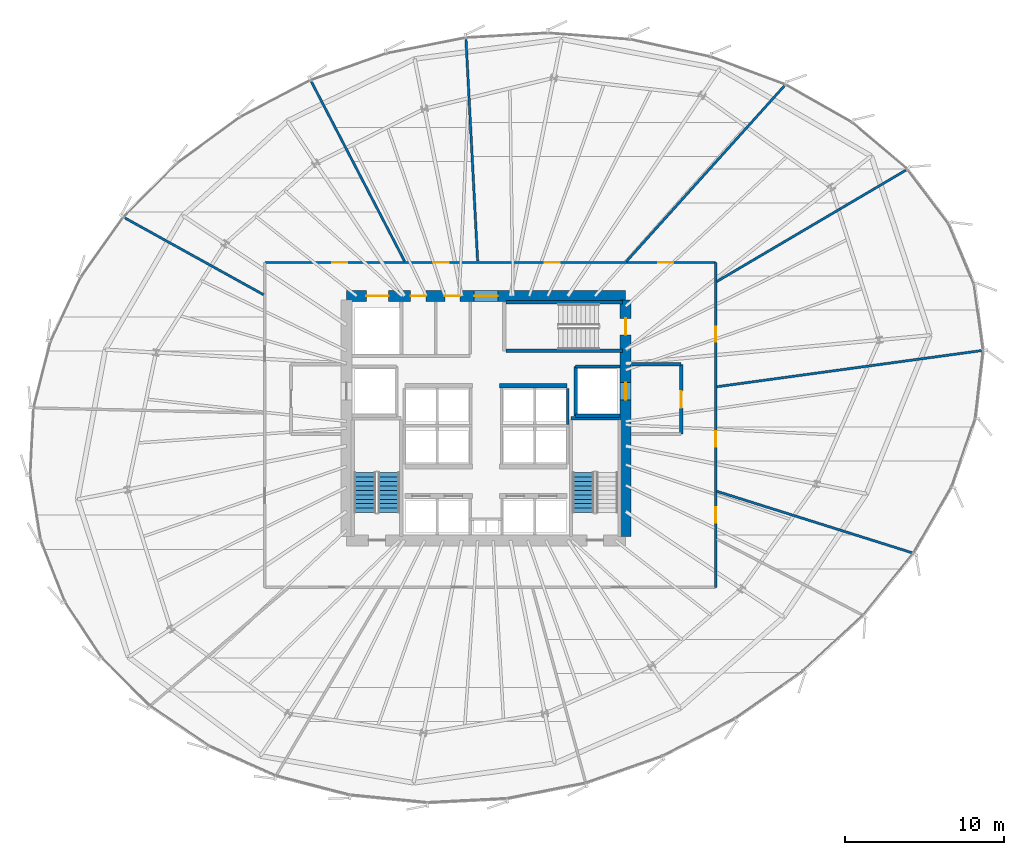
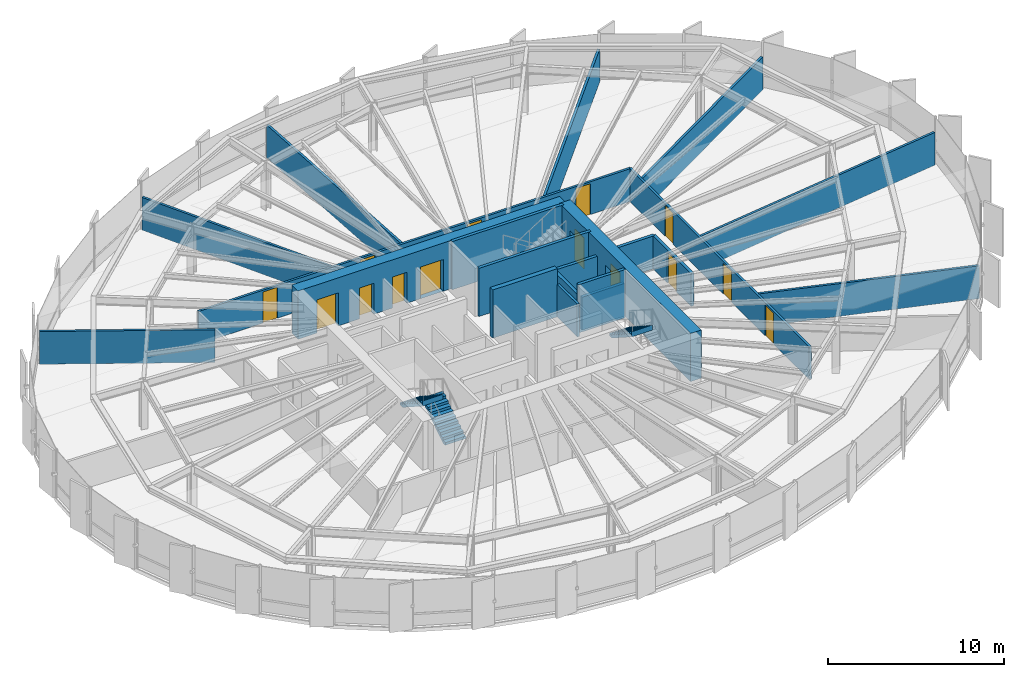
# One storey, part 29 of 35: 21 walls, 14 doors, 3 stair flights, 14 openings, 2 elements without a shape of their own.
"""IFC4 building model written with IfcOpenShell, lengths in metres."""

from ifc_helpers import new_model, si_unit, direction, frame, frame_2d, origin, place, context, subcontext, project, spatial, polyline, rectangle, outline, extrude, source, transform, mapped, material, layer, layer_set, type_object, element, fill, aggregate, save


model = new_model("IFC4")

# Units and contexts
model_context = context("Model", 3, precision=1e-05, world=origin(), true_north=direction((0.0, 1.0)))
body_context = subcontext(model_context, "Body", "Model", "MODEL_VIEW")
ifc_project = project(units=[si_unit("LENGTHUNIT", "METRE"), si_unit("AREAUNIT", "SQUARE_METRE"), si_unit("VOLUMEUNIT", "CUBIC_METRE"), si_unit("PLANEANGLEUNIT", "RADIAN"), si_unit("MASSUNIT", "GRAM", prefix="KILO"), si_unit("THERMODYNAMICTEMPERATUREUNIT", "KELVIN")], contexts=[model_context])

# Site, building, storey
site_placement = place(None, origin())
site = spatial("IfcSite", under=ifc_project, at=site_placement, CompositionType="ELEMENT")
building_placement = place(site_placement, origin())
building = spatial("IfcBuilding", under=site, at=building_placement, Name="Kethvar Cultural Tower", CompositionType="ELEMENT")
storey_placement = place(building_placement, frame((0.0, 0.0, 96.39990234375)))
storey = spatial("IfcBuildingStorey", under=building, at=storey_placement, Name="L23", CompositionType="ELEMENT", Elevation=96.39990234375)

# Wall, openings, doors
ifc_material_1 = material(Name="Concrete C60/75", Category="concrete")
ifc_layer_1 = layer(ifc_material_1, 0.699951171875, Name="Concrete C60/75", Category="concrete")
ifc_layer_set_1 = layer_set([ifc_layer_1], Name="Concrete C60/75 (700 mm)")
wall_type_1 = type_object("IfcWallType", Name="WL-CORE-700", PredefinedType="SHEAR", material=ifc_layer_set_1)
wall_1_placement = place(storey_placement, frame((55.60009765625, 35.5, 0.0), z_axis=(0.0, 0.0, 1.0), x_axis=(-1.0, 0.0, 0.0)))
wall_1 = element("IfcWall", 1, at=wall_1_placement, inside=storey, type_object=wall_type_1, Name="L23 Core Shear Wall N", PredefinedType="SHEAR", context=body_context, shape_type="SweptSolid", body=[
    extrude(rectangle(XDim=17.60009765625, YDim=0.699951171875, at=frame_2d((8.800048828125, 0.0))), origin(), (0.0, 0.0, 1.0), 3.35009765625),
])
opening_1_placement = place(wall_1_placement, frame((8.050048828125, 0.0, 0.0)))
opening_1 = element("IfcOpeningElement", 2, at=opening_1_placement, cuts=wall_1, Name="Opening D-L23-LN", PredefinedType="OPENING", context=body_context, shape_type="SweptSolid", body=[
    extrude(rectangle(XDim=1.5, YDim=2.199951171875, at=frame_2d((0.75, 1.10009765625))), frame((0.0, 0.35986328125, 0.0), z_axis=(0.0, -1.0, 0.0), x_axis=(1.0, 0.0, 0.0)), (0.0, 0.0, 1.0), 0.719970703125),
])
opening_2_placement = place(wall_1_placement, frame((14.949951171875, 0.0, 0.0)))
opening_2 = element("IfcOpeningElement", 3, at=opening_2_placement, cuts=wall_1, Name="Opening LD-G1", PredefinedType="OPENING", context=body_context, shape_type="SweptSolid", body=[
    extrude(rectangle(XDim=1.39990234375, YDim=2.300048828125, at=frame_2d((0.699951171875, 1.14990234375))), frame((0.0, 0.35986328125, 0.0), z_axis=(0.0, -1.0, 0.0), x_axis=(1.0, 0.0, 0.0)), (0.0, 0.0, 1.0), 0.719970703125),
])
opening_3_placement = place(wall_1_placement, frame((12.60009765625, 0.0, 0.0)))
opening_3 = element("IfcOpeningElement", 4, at=opening_3_placement, cuts=wall_1, Name="Opening D-L23-W1", PredefinedType="OPENING", context=body_context, shape_type="SweptSolid", body=[
    extrude(rectangle(XDim=0.949951171875, YDim=2.14990234375, at=frame_2d((0.47509765625, 1.074951171875))), frame((0.0, 0.35986328125, 0.0), z_axis=(0.0, -1.0, 0.0), x_axis=(1.0, 0.0, 0.0)), (0.0, 0.0, 1.0), 0.719970703125),
])
opening_4_placement = place(wall_1_placement, frame((10.449951171875, 0.0, 0.0)))
opening_4 = element("IfcOpeningElement", 5, at=opening_4_placement, cuts=wall_1, Name="Opening D-L23-W2", PredefinedType="OPENING", context=body_context, shape_type="SweptSolid", body=[
    extrude(rectangle(XDim=0.949951171875, YDim=2.14990234375, at=frame_2d((0.47509765625, 1.074951171875))), frame((0.0, 0.35986328125, 0.0), z_axis=(0.0, -1.0, 0.0), x_axis=(1.0, 0.0, 0.0)), (0.0, 0.0, 1.0), 0.719970703125),
])
ifc_material_2 = material(Name="Architectural Oak Timber", Category="wood")
door_type_1 = type_object("IfcDoorType", Name="DR-DBL-FD60-1500", OperationType="DOUBLE_DOOR_SINGLE_SWING", PredefinedType="DOOR", material=ifc_material_2)
shared_shape_1 = source(origin(), body_context, "Body", "SweptSolid", [
    extrude(rectangle(XDim=1.5, YDim=2.199951171875, at=frame_2d((0.75, 1.10009765625))), frame((0.0, 0.02490234375, 0.0), z_axis=(0.0, -1.0, 0.0), x_axis=(1.0, 0.0, 0.0)), (0.0, 0.0, 1.0), 0.050048828125),
])
door_1_placement = place(opening_1_placement, origin())
door_1 = element("IfcDoor", 6, at=door_1_placement, inside=storey, type_object=door_type_1, Name="L23 Lift Lobby Concourse Door", OperationType="DOUBLE_DOOR_SINGLE_SWING", OverallHeight=2.199951171875, OverallWidth=1.5, PredefinedType="DOOR", context=body_context, shape_type="MappedRepresentation", body=[
    mapped(shared_shape_1, transform((0.0, 0.0, 0.0), scale=1.0)),
])
fill(opening_1, door_1)
ifc_material_3 = material(Name="Steel S355J2", Category="steel")
door_type_2 = type_object("IfcDoorType", Name="DR-LIFT-SLIDE-1400", OperationType="NOTDEFINED", PredefinedType="DOOR", material=ifc_material_3)
shared_shape_2 = source(origin(), body_context, "Body", "SweptSolid", [
    extrude(rectangle(XDim=1.39990234375, YDim=2.300048828125, at=frame_2d((0.699951171875, 1.14990234375))), frame((0.0, 0.02490234375, 0.0), z_axis=(0.0, -1.0, 0.0), x_axis=(1.0, 0.0, 0.0)), (0.0, 0.0, 1.0), 0.050048828125),
])
door_2_placement = place(opening_2_placement, origin())
door_2 = element("IfcDoor", 7, at=door_2_placement, inside=storey, type_object=door_type_2, Name="L23 Goods Lift Landing Door", OperationType="SLIDING_TO_RIGHT", OverallHeight=2.300048828125, OverallWidth=1.39990234375, PredefinedType="DOOR", context=body_context, shape_type="MappedRepresentation", body=[
    mapped(shared_shape_2, transform((0.0, 0.0, 0.0), scale=1.0)),
])
fill(opening_2, door_2)
door_type_3 = type_object("IfcDoorType", Name="DR-FD30-950", OperationType="NOTDEFINED", PredefinedType="DOOR", material=ifc_material_2)
shared_shape_3 = source(origin(), body_context, "Body", "SweptSolid", [
    extrude(rectangle(XDim=0.949951171875, YDim=2.14990234375, at=frame_2d((0.47509765625, 1.074951171875))), frame((0.0, 0.02490234375, 0.0), z_axis=(0.0, -1.0, 0.0), x_axis=(1.0, 0.0, 0.0)), (0.0, 0.0, 1.0), 0.050048828125),
])
door_3_placement = place(opening_3_placement, origin())
door_3 = element("IfcDoor", 8, at=door_3_placement, inside=storey, type_object=door_type_3, Name="L23 Accessible Washroom Door", OperationType="SINGLE_SWING_LEFT", OverallHeight=2.14990234375, OverallWidth=0.949951171875, PredefinedType="DOOR", context=body_context, shape_type="MappedRepresentation", body=[
    mapped(shared_shape_3, transform((0.0, 0.0, 0.0), scale=1.0)),
])
fill(opening_3, door_3)
door_4_placement = place(opening_4_placement, origin())
door_4 = element("IfcDoor", 9, at=door_4_placement, inside=storey, type_object=door_type_3, Name="L23 Public Washroom Door", OperationType="SINGLE_SWING_RIGHT", OverallHeight=2.14990234375, OverallWidth=0.949951171875, PredefinedType="DOOR", context=body_context, shape_type="MappedRepresentation", body=[
    mapped(shared_shape_3, transform((0.0, 0.0, 0.0), scale=1.0)),
])
fill(opening_4, door_4)

wall_2_placement = place(storey_placement, frame((55.60009765625, 20.340087890625, 0.0), z_axis=(0.0, 0.0, 1.0), x_axis=(0.0, 1.0, 0.0)))
wall_2 = element("IfcWall", 10, at=wall_2_placement, inside=storey, type_object=wall_type_1, Name="L23 Core Shear Wall E", PredefinedType="SHEAR", context=body_context, shape_type="SweptSolid", body=[
    extrude(rectangle(XDim=14.919921875, YDim=0.699951171875, at=frame_2d((7.4599609375, 0.0))), origin(), (0.0, 0.0, 1.0), 3.35009765625),
])
opening_5_placement = place(wall_2_placement, frame((12.7099609375, 0.0, 0.0)))
opening_5 = element("IfcOpeningElement", 11, at=opening_5_placement, cuts=wall_2, Name="Opening D-L23-S3", PredefinedType="OPENING", context=body_context, shape_type="SweptSolid", body=[
    extrude(rectangle(XDim=1.050048828125, YDim=2.14990234375, at=frame_2d((0.52490234375, 1.074951171875))), frame((0.0, 0.35986328125, 0.0), z_axis=(0.0, -1.0, 0.0), x_axis=(1.0, 0.0, 0.0)), (0.0, 0.0, 1.0), 0.719970703125),
])
opening_6_placement = place(wall_2_placement, frame((8.610107421875, 0.0, 0.0)))
opening_6 = element("IfcOpeningElement", 12, at=opening_6_placement, cuts=wall_2, Name="Opening LD-2", PredefinedType="OPENING", context=body_context, shape_type="SweptSolid", body=[
    extrude(rectangle(XDim=1.10009765625, YDim=2.199951171875, at=frame_2d((0.550048828125, 1.10009765625))), frame((0.0, 0.35986328125, 0.0), z_axis=(0.0, -1.0, 0.0), x_axis=(1.0, 0.0, 0.0)), (0.0, 0.0, 1.0), 0.719970703125),
])
door_type_4 = type_object("IfcDoorType", Name="DR-FD60-1050", OperationType="NOTDEFINED", PredefinedType="DOOR", material=ifc_material_3)
shared_shape_4 = source(origin(), body_context, "Body", "SweptSolid", [
    extrude(rectangle(XDim=1.050048828125, YDim=2.14990234375, at=frame_2d((0.52490234375, 1.074951171875))), frame((0.0, 0.02490234375, 0.0), z_axis=(0.0, -1.0, 0.0), x_axis=(1.0, 0.0, 0.0)), (0.0, 0.0, 1.0), 0.050048828125),
])
door_5_placement = place(opening_5_placement, origin())
door_5 = element("IfcDoor", 13, at=door_5_placement, inside=storey, type_object=door_type_4, Name="L23 Exit Stair 3 Door", OperationType="SINGLE_SWING_LEFT", OverallHeight=2.14990234375, OverallWidth=1.050048828125, PredefinedType="DOOR", context=body_context, shape_type="MappedRepresentation", body=[
    mapped(shared_shape_4, transform((0.0, 0.0, 0.0), scale=1.0)),
])
fill(opening_5, door_5)
door_type_5 = type_object("IfcDoorType", Name="DR-LIFT-SLIDE-1100", OperationType="NOTDEFINED", PredefinedType="DOOR", material=ifc_material_3)
shared_shape_5 = source(origin(), body_context, "Body", "SweptSolid", [
    extrude(rectangle(XDim=1.10009765625, YDim=2.199951171875, at=frame_2d((0.550048828125, 1.10009765625))), frame((0.0, 0.02490234375, 0.0), z_axis=(0.0, -1.0, 0.0), x_axis=(1.0, 0.0, 0.0)), (0.0, 0.0, 1.0), 0.050048828125),
])
door_6_placement = place(opening_6_placement, origin())
door_6 = element("IfcDoor", 14, at=door_6_placement, inside=storey, type_object=door_type_5, Name="L23 Firefighting Lift Landing Door FFL-02", OperationType="SLIDING_TO_RIGHT", OverallHeight=2.199951171875, OverallWidth=1.10009765625, PredefinedType="DOOR", context=body_context, shape_type="MappedRepresentation", body=[
    mapped(shared_shape_5, transform((0.0, 0.0, 0.0), scale=1.0)),
])
fill(opening_6, door_6)

# Wall
ifc_material_4 = material(Name="Gypsum Fireboard Partition")
ifc_layer_2 = layer(ifc_material_4, 0.14990234375, Name="Gypsum Fireboard Partition")
ifc_layer_set_2 = layer_set([ifc_layer_2], Name="Gypsum Fireboard Partition (150 mm)")
wall_type_2 = type_object("IfcWallType", Name="WL-FIRE-150", PredefinedType="PARTITIONING", material=ifc_layer_set_2)
wall_3_placement = place(storey_placement, frame((51.949951171875, 27.409912109375, 0.0), z_axis=(0.0, 0.0, 1.0), x_axis=(0.0, 1.0, 0.0)))
element("IfcWall", 15, at=wall_3_placement, inside=storey, type_object=wall_type_2, Name="L23 High-Rise Lift Shaft Outer Wall E", PredefinedType="PARTITIONING", context=body_context, shape_type="SweptSolid", body=[
    extrude(rectangle(XDim=2.27001953125, YDim=0.14990234375, at=frame_2d((1.135009765625, 0.0))), origin(), (0.0, 0.0, 1.0), 2.280029296875),
])

# Wall, openings, doors
wall_4_placement = place(storey_placement, frame((61.27001953125, 17.139892578125, 0.0), z_axis=(0.0, 0.0, 1.0), x_axis=(0.0, 1.0, 0.0)))
wall_4 = element("IfcWall", 16, at=wall_4_placement, inside=storey, type_object=wall_type_2, Name="L23 Corridor Rated Wall E", PredefinedType="PARTITIONING", context=body_context, shape_type="SweptSolid", body=[
    extrude(rectangle(XDim=20.480224609375, YDim=0.14990234375, at=frame_2d((10.240234375, 0.0))), origin(), (0.0, 0.0, 1.0), 2.280029296875),
])
opening_7_placement = place(wall_4_placement, frame((4.084228515625, 0.0, 0.0)))
opening_7 = element("IfcOpeningElement", 17, at=opening_7_placement, cuts=wall_4, Name="Opening D-L23-04", PredefinedType="OPENING", context=body_context, shape_type="SweptSolid", body=[
    extrude(rectangle(XDim=0.949951171875, YDim=2.14990234375, at=frame_2d((0.47509765625, 1.074951171875))), frame((0.0, 0.0849609375, 0.0), z_axis=(0.0, -1.0, 0.0), x_axis=(1.0, 0.0, 0.0)), (0.0, 0.0, 1.0), 0.169921875),
])
opening_8_placement = place(wall_4_placement, frame((8.875, 0.0, 0.0)))
opening_8 = element("IfcOpeningElement", 18, at=opening_8_placement, cuts=wall_4, Name="Opening D-L23-05", PredefinedType="OPENING", context=body_context, shape_type="SweptSolid", body=[
    extrude(rectangle(XDim=0.949951171875, YDim=2.14990234375, at=frame_2d((0.47509765625, 1.074951171875))), frame((0.0, 0.0849609375, 0.0), z_axis=(0.0, -1.0, 0.0), x_axis=(1.0, 0.0, 0.0)), (0.0, 0.0, 1.0), 0.169921875),
])
opening_9_placement = place(wall_4_placement, frame((15.481689453125, 0.0, 0.0)))
opening_9 = element("IfcOpeningElement", 19, at=opening_9_placement, cuts=wall_4, Name="Opening D-L23-06", PredefinedType="OPENING", context=body_context, shape_type="SweptSolid", body=[
    extrude(rectangle(XDim=0.949951171875, YDim=2.14990234375, at=frame_2d((0.47509765625, 1.074951171875))), frame((0.0, 0.0849609375, 0.0), z_axis=(0.0, -1.0, 0.0), x_axis=(1.0, 0.0, 0.0)), (0.0, 0.0, 1.0), 0.169921875),
])
door_7_placement = place(opening_7_placement, origin())
door_7 = element("IfcDoor", 20, at=door_7_placement, inside=storey, type_object=door_type_3, Name="L23 Curatorial Conference Room 04 Door", OperationType="SINGLE_SWING_LEFT", OverallHeight=2.14990234375, OverallWidth=0.949951171875, PredefinedType="DOOR", context=body_context, shape_type="MappedRepresentation", body=[
    mapped(shared_shape_3, transform((0.0, 0.0, 0.0), scale=1.0)),
])
fill(opening_7, door_7)
door_8_placement = place(opening_8_placement, origin())
door_8 = element("IfcDoor", 21, at=door_8_placement, inside=storey, type_object=door_type_3, Name="L23 Colloquium Seminar Room 05 Door", OperationType="SINGLE_SWING_RIGHT", OverallHeight=2.14990234375, OverallWidth=0.949951171875, PredefinedType="DOOR", context=body_context, shape_type="MappedRepresentation", body=[
    mapped(shared_shape_3, transform((0.0, 0.0, 0.0), scale=1.0)),
])
fill(opening_8, door_8)
door_9_placement = place(opening_9_placement, origin())
door_9 = element("IfcDoor", 22, at=door_9_placement, inside=storey, type_object=door_type_3, Name="L23 Panoramic Reading Lounge 06 Door", OperationType="SINGLE_SWING_LEFT", OverallHeight=2.14990234375, OverallWidth=0.949951171875, PredefinedType="DOOR", context=body_context, shape_type="MappedRepresentation", body=[
    mapped(shared_shape_3, transform((0.0, 0.0, 0.0), scale=1.0)),
])
fill(opening_9, door_9)

wall_5_placement = place(storey_placement, frame((61.27001953125, 37.6201171875, 0.0), z_axis=(0.0, 0.0, 1.0), x_axis=(-1.0, 0.0, 0.0)))
wall_5 = element("IfcWall", 23, at=wall_5_placement, inside=storey, type_object=wall_type_2, Name="L23 Corridor Rated Wall N", PredefinedType="PARTITIONING", context=body_context, shape_type="SweptSolid", body=[
    extrude(rectangle(XDim=28.419921875, YDim=0.14990234375, at=frame_2d((14.2099609375, 0.0))), origin(), (0.0, 0.0, 1.0), 2.280029296875),
])
opening_10_placement = place(wall_5_placement, frame((2.656005859375, 0.0, 0.0)))
opening_10 = element("IfcOpeningElement", 24, at=opening_10_placement, cuts=wall_5, Name="Opening D-L23-07", PredefinedType="OPENING", context=body_context, shape_type="SweptSolid", body=[
    extrude(rectangle(XDim=0.949951171875, YDim=2.14990234375, at=frame_2d((0.47509765625, 1.074951171875))), frame((0.0, 0.0849609375, 0.0), z_axis=(0.0, -1.0, 0.0), x_axis=(1.0, 0.0, 0.0)), (0.0, 0.0, 1.0), 0.169921875),
])
opening_11_placement = place(wall_5_placement, frame((9.817626953125, 0.0, 0.0)))
opening_11 = element("IfcOpeningElement", 25, at=opening_11_placement, cuts=wall_5, Name="Opening D-L23-08", PredefinedType="OPENING", context=body_context, shape_type="SweptSolid", body=[
    extrude(rectangle(XDim=0.949951171875, YDim=2.14990234375, at=frame_2d((0.47509765625, 1.074951171875))), frame((0.0, 0.0849609375, 0.0), z_axis=(0.0, -1.0, 0.0), x_axis=(1.0, 0.0, 0.0)), (0.0, 0.0, 1.0), 0.169921875),
])
opening_12_placement = place(wall_5_placement, frame((16.826416015625, 0.0, 0.0)))
opening_12 = element("IfcOpeningElement", 26, at=opening_12_placement, cuts=wall_5, Name="Opening D-L23-09", PredefinedType="OPENING", context=body_context, shape_type="SweptSolid", body=[
    extrude(rectangle(XDim=0.949951171875, YDim=2.14990234375, at=frame_2d((0.47509765625, 1.074951171875))), frame((0.0, 0.0849609375, 0.0), z_axis=(0.0, -1.0, 0.0), x_axis=(1.0, 0.0, 0.0)), (0.0, 0.0, 1.0), 0.169921875),
])
opening_13_placement = place(wall_5_placement, frame((23.2294921875, 0.0, 0.0)))
opening_13 = element("IfcOpeningElement", 27, at=opening_13_placement, cuts=wall_5, Name="Opening D-L23-10", PredefinedType="OPENING", context=body_context, shape_type="SweptSolid", body=[
    extrude(rectangle(XDim=0.949951171875, YDim=2.14990234375, at=frame_2d((0.47509765625, 1.074951171875))), frame((0.0, 0.0849609375, 0.0), z_axis=(0.0, -1.0, 0.0), x_axis=(1.0, 0.0, 0.0)), (0.0, 0.0, 1.0), 0.169921875),
])
door_10_placement = place(opening_10_placement, origin())
door_10 = element("IfcDoor", 28, at=door_10_placement, inside=storey, type_object=door_type_3, Name="L23 Cultural Periodicals Kiosk 07 Door", OperationType="SINGLE_SWING_RIGHT", OverallHeight=2.14990234375, OverallWidth=0.949951171875, PredefinedType="DOOR", context=body_context, shape_type="MappedRepresentation", body=[
    mapped(shared_shape_3, transform((0.0, 0.0, 0.0), scale=1.0)),
])
fill(opening_10, door_10)
door_11_placement = place(opening_11_placement, origin())
door_11 = element("IfcDoor", 29, at=door_11_placement, inside=storey, type_object=door_type_3, Name="L23 Founders' Reception 08 Door", OperationType="SINGLE_SWING_LEFT", OverallHeight=2.14990234375, OverallWidth=0.949951171875, PredefinedType="DOOR", context=body_context, shape_type="MappedRepresentation", body=[
    mapped(shared_shape_3, transform((0.0, 0.0, 0.0), scale=1.0)),
])
fill(opening_11, door_11)
door_12_placement = place(opening_12_placement, origin())
door_12 = element("IfcDoor", 30, at=door_12_placement, inside=storey, type_object=door_type_3, Name="L23 Scholars' Servery Pantry 09 Door", OperationType="SINGLE_SWING_RIGHT", OverallHeight=2.14990234375, OverallWidth=0.949951171875, PredefinedType="DOOR", context=body_context, shape_type="MappedRepresentation", body=[
    mapped(shared_shape_3, transform((0.0, 0.0, 0.0), scale=1.0)),
])
fill(opening_12, door_12)
door_13_placement = place(opening_13_placement, origin())
door_13 = element("IfcDoor", 31, at=door_13_placement, inside=storey, type_object=door_type_3, Name="L23 Manuscript Archive Store 10 Door", OperationType="SINGLE_SWING_LEFT", OverallHeight=2.14990234375, OverallWidth=0.949951171875, PredefinedType="DOOR", context=body_context, shape_type="MappedRepresentation", body=[
    mapped(shared_shape_3, transform((0.0, 0.0, 0.0), scale=1.0)),
])
fill(opening_13, door_13)

# Walls
ifc_material_5 = material(Name="Concrete C40/50", Category="concrete")
ifc_layer_3 = layer(ifc_material_5, 0.199951171875, Name="Concrete C40/50", Category="concrete")
ifc_layer_set_3 = layer_set([ifc_layer_3], Name="Concrete C40/50 (200 mm)")
wall_type_3 = type_object("IfcWallType", Name="WL-FIRE-200", PredefinedType="PARTITIONING", material=ifc_layer_set_3)
wall_6_placement = place(storey_placement, frame((52.449951171875, 27.949951171875, 0.0), z_axis=(0.0, 0.0, 1.0), x_axis=(0.0, 1.0, 0.0)))
element("IfcWall", 32, at=wall_6_placement, inside=storey, type_object=wall_type_3, Name="L23 FFL-02 Shaft Inner Wall", PredefinedType="PARTITIONING", context=body_context, shape_type="SweptSolid", body=[
    extrude(rectangle(XDim=3.10009765625, YDim=0.199951171875, at=frame_2d((1.550048828125, 0.0))), origin(), (0.0, 0.0, 1.0), 2.280029296875),
])
for number, where, z_axis, x_axis, name in (
    (33, (52.449951171875, 27.949951171875, 0.0), (0.0, 0.0, 1.0), (1.0, 0.0, 0.0), "L23 FFL-02 Shaft South Wall"),
    (34, (52.449951171875, 31.050048828125, 0.0), (0.0, 0.0, 1.0), (1.0, 0.0, 0.0), "L23 FFL-02 Shaft North Wall"),
):
    element("IfcWall", number, at=place(storey_placement, frame(where, z_axis=z_axis, x_axis=x_axis)), inside=storey, type_object=wall_type_3, Name=name, PredefinedType="PARTITIONING", context=body_context, shape_type="SweptSolid", body=[
        extrude(rectangle(XDim=2.7900390625, YDim=0.199951171875, at=frame_2d((1.39501953125, 0.0))), origin(), (0.0, 0.0, 1.0), 2.280029296875),
    ])

# Wall, opening, door
wall_7_placement = place(storey_placement, frame((59.10009765625, 26.800048828125, 0.0), z_axis=(0.0, 0.0, 1.0), x_axis=(0.0, 1.0, 0.0)))
wall_7 = element("IfcWall", 35, at=wall_7_placement, inside=storey, type_object=wall_type_3, Name="L23 Firefighting Lobby 2 Wall", PredefinedType="PARTITIONING", context=body_context, shape_type="SweptSolid", body=[
    extrude(rectangle(XDim=4.39990234375, YDim=0.199951171875, at=frame_2d((2.199951171875, 0.0))), origin(), (0.0, 0.0, 1.0), 2.280029296875),
])
opening_14_placement = place(wall_7_placement, frame((1.64990234375, 0.0, 0.0)))
opening_14 = element("IfcOpeningElement", 36, at=opening_14_placement, cuts=wall_7, Name="Opening D-L23-F2", PredefinedType="OPENING", context=body_context, shape_type="SweptSolid", body=[
    extrude(rectangle(XDim=1.050048828125, YDim=2.14990234375, at=frame_2d((0.52490234375, 1.074951171875))), frame((0.0, 0.10986328125, 0.0), z_axis=(0.0, -1.0, 0.0), x_axis=(1.0, 0.0, 0.0)), (0.0, 0.0, 1.0), 0.219970703125),
])
door_14_placement = place(opening_14_placement, origin())
door_14 = element("IfcDoor", 37, at=door_14_placement, inside=storey, type_object=door_type_4, Name="L23 Firefighting Lobby 2 Fire Door", OperationType="SINGLE_SWING_LEFT", OverallHeight=2.14990234375, OverallWidth=1.050048828125, PredefinedType="DOOR", context=body_context, shape_type="MappedRepresentation", body=[
    mapped(shared_shape_4, transform((0.0, 0.0, 0.0), scale=1.0)),
])
fill(opening_14, door_14)

# Walls
wall_8_placement = place(storey_placement, frame((55.9599609375, 31.199951171875, 0.0), z_axis=(0.0, 0.0, 1.0), x_axis=(1.0, 0.0, 0.0)))
element("IfcWall", 38, at=wall_8_placement, inside=storey, type_object=wall_type_3, Name="L23 FF Lobby 2 North Wall", PredefinedType="PARTITIONING", context=body_context, shape_type="SweptSolid", body=[
    extrude(rectangle(XDim=3.14013671875, YDim=0.199951171875, at=frame_2d((1.570068359375, 0.0))), origin(), (0.0, 0.0, 1.0), 2.280029296875),
])
ifc_material_6 = material(Name="Gypsum Acoustic Partition")
ifc_layer_4 = layer(ifc_material_6, 0.14990234375, Name="Gypsum Acoustic Partition")
ifc_layer_set_4 = layer_set([ifc_layer_4], Name="Gypsum Acoustic Partition (150 mm)")
wall_type_4 = type_object("IfcWallType", Name="WL-PART-150", PredefinedType="PARTITIONING", material=ifc_layer_set_4)
wall_9_placement = place(storey_placement, frame((61.34619140625, 23.192626953125, 0.0), z_axis=(0.0, 0.0, 1.0), x_axis=(0.953881626894, -0.300183013965, 0.0)))
element("IfcWall", 39, at=wall_9_placement, inside=storey, type_object=wall_type_4, Name="L23 Radial Partition Wall 05", PredefinedType="PARTITIONING", context=body_context, shape_type="SweptSolid", body=[
    extrude(rectangle(XDim=12.876953125, YDim=0.14990234375, at=frame_2d((6.4384765625, 0.0))), origin(), (0.0, 0.0, 1.0), 2.280029296875),
])
wall_10_placement = place(storey_placement, frame((61.349365234375, 29.785400390625, 0.0), z_axis=(0.0, 0.0, 1.0), x_axis=(0.990815948539, 0.135217440153, 0.0)))
element("IfcWall", 40, at=wall_10_placement, inside=storey, type_object=wall_type_4, Name="L23 Radial Partition Wall 06", PredefinedType="PARTITIONING", context=body_context, shape_type="SweptSolid", body=[
    extrude(rectangle(XDim=16.82763671875, YDim=0.14990234375, at=frame_2d((8.413818359375, 0.0))), origin(), (0.0, 0.0, 1.0), 2.280029296875),
])
wall_11_placement = place(storey_placement, frame((61.3388671875, 36.413330078125, 0.0), z_axis=(0.0, 0.0, 1.0), x_axis=(0.861699562592, 0.507418824866, 0.0)))
element("IfcWall", 41, at=wall_11_placement, inside=storey, type_object=wall_type_4, Name="L23 Radial Partition Wall 07", PredefinedType="PARTITIONING", context=body_context, shape_type="SweptSolid", body=[
    extrude(rectangle(XDim=13.833251953125, YDim=0.14990234375, at=frame_2d((6.91650390625, 0.0))), origin(), (0.0, 0.0, 1.0), 2.280029296875),
])
wall_12_placement = place(storey_placement, frame((55.64111328125, 37.679443359375, 0.0), z_axis=(0.0, 0.0, 1.0), x_axis=(0.668923040801, 0.74333166587, 0.0)))
element("IfcWall", 42, at=wall_12_placement, inside=storey, type_object=wall_type_4, Name="L23 Radial Partition Wall 08", PredefinedType="PARTITIONING", context=body_context, shape_type="SweptSolid", body=[
    extrude(rectangle(XDim=14.883056640625, YDim=0.14990234375, at=frame_2d((7.44140625, 0.0))), origin(), (0.0, 0.0, 1.0), 2.280029296875),
])
wall_13_placement = place(storey_placement, frame((46.267578125, 37.699951171875, 0.0), z_axis=(0.0, 0.0, 1.0), x_axis=(-0.052586305446, 0.998616383042, 0.0)))
element("IfcWall", 43, at=wall_13_placement, inside=storey, type_object=wall_type_4, Name="L23 Radial Partition Wall 09", PredefinedType="PARTITIONING", context=body_context, shape_type="SweptSolid", body=[
    extrude(rectangle(XDim=13.992919921875, YDim=0.14990234375, at=frame_2d((6.99658203125, 0.0))), origin(), (0.0, 0.0, 1.0), 2.280029296875),
])
wall_14_placement = place(storey_placement, frame((41.66455078125, 37.69091796875, 0.0), z_axis=(0.0, 0.0, 1.0), x_axis=(-0.46076800873, 0.887520615046, 0.0)))
element("IfcWall", 44, at=wall_14_placement, inside=storey, type_object=wall_type_4, Name="L23 Radial Partition Wall 10", PredefinedType="PARTITIONING", context=body_context, shape_type="SweptSolid", body=[
    extrude(rectangle(XDim=12.754150390625, YDim=0.14990234375, at=frame_2d((6.376953125, 0.0))), origin(), (0.0, 0.0, 1.0), 2.280029296875),
])
wall_15_placement = place(storey_placement, frame((32.780029296875, 35.581787109375, 0.0), z_axis=(0.0, 0.0, 1.0), x_axis=(-0.87494903395, 0.484215022475, 0.0)))
element("IfcWall", 45, at=wall_15_placement, inside=storey, type_object=wall_type_4, Name="L23 Radial Partition Wall 11", PredefinedType="PARTITIONING", context=body_context, shape_type="SweptSolid", body=[
    extrude(rectangle(XDim=9.9921875, YDim=0.14990234375, at=frame_2d((4.99609375, 0.0))), origin(), (0.0, 0.0, 1.0), 2.280029296875),
])
ifc_material_7 = material(Name="Concrete C50/60", Category="concrete")
ifc_layer_5 = layer(ifc_material_7, 0.300048828125, Name="Concrete C50/60", Category="concrete")
ifc_layer_set_5 = layer_set([ifc_layer_5], Name="Concrete C50/60 (300 mm)")
wall_type_5 = type_object("IfcWallType", Name="WL-SHAFT-300", PredefinedType="SHEAR", material=ifc_layer_set_5)
wall_16_placement = place(storey_placement, frame((47.64990234375, 29.85009765625, 0.0), z_axis=(0.0, 0.0, 1.0), x_axis=(1.0, 0.0, 0.0)))
element("IfcWall", 46, at=wall_16_placement, inside=storey, type_object=wall_type_5, Name="L23 Core Lift Spine Wall MID3E", PredefinedType="SHEAR", context=body_context, shape_type="SweptSolid", body=[
    extrude(rectangle(XDim=4.25, YDim=0.300048828125, at=frame_2d((2.125, 0.0))), origin(), (0.0, 0.0, 1.0), 3.35009765625),
])
ifc_layer_6 = layer(ifc_material_7, 0.199951171875, Name="Concrete C50/60", Category="concrete")
ifc_layer_set_6 = layer_set([ifc_layer_6], Name="Concrete C50/60 (200 mm)")
wall_type_6 = type_object("IfcWallType", Name="WL-STSHAFT-200", PredefinedType="SHEAR", material=ifc_layer_set_6)
wall_17_placement = place(storey_placement, frame((52.14990234375, 27.800048828125, 0.0), z_axis=(0.0, 0.0, 1.0), x_axis=(1.0, 0.0, 0.0)))
element("IfcWall", 47, at=wall_17_placement, inside=storey, type_object=wall_type_6, Name="L23 ST-02 Stair Shaft Wall FAR", PredefinedType="SHEAR", context=body_context, shape_type="SweptSolid", body=[
    extrude(rectangle(XDim=3.06005859375, YDim=0.199951171875, at=frame_2d((1.530029296875, 0.0))), origin(), (0.0, 0.0, 1.0), 3.35009765625),
])
for number, where, z_axis, x_axis, name in (
    (48, (48.050048828125, 35.110107421875, 0.0), (0.0, 0.0, 1.0), (1.0, 0.0, 0.0), "L23 ST-03 Stair Shaft Wall LEFT"),
    (49, (55.39990234375, 32.050048828125, 0.0), (0.0, 0.0, 1.0), (-1.0, 0.0, 0.0), "L23 ST-03 Stair Shaft Wall RIGHT"),
):
    element("IfcWall", number, at=place(storey_placement, frame(where, z_axis=z_axis, x_axis=x_axis)), inside=storey, type_object=wall_type_6, Name=name, PredefinedType="SHEAR", context=body_context, shape_type="SweptSolid", body=[
        extrude(rectangle(XDim=7.349853515625, YDim=0.199951171875, at=frame_2d((3.6748046875, 0.0))), origin(), (0.0, 0.0, 1.0), 3.35009765625),
    ])

# Stair, stair flights
stair_type = type_object("IfcStairType", Name="ST-DOGLEG-135", PredefinedType="HALF_TURN_STAIR", material=ifc_material_5)
stair_1_placement = place(storey_placement, origin())
stair_1 = element("IfcStair", 50, at=stair_1_placement, inside=storey, type_object=stair_type, Name="L23 Core Exit Stair 1", PredefinedType="HALF_TURN_STAIR")
stair_flight_type = type_object("IfcStairFlightType", Name="FL-STRAIGHT-135", PredefinedType="STRAIGHT", material=ifc_material_5)
stair_flight_1_placement = place(storey_placement, frame((40.675048828125, 21.85009765625, 0.0), z_axis=(0.0, 0.0, 1.0), x_axis=(0.0, 1.0, 0.0)))
stair_flight_1 = element("IfcStairFlight", 51, at=stair_flight_1_placement, type_object=stair_flight_type, Name="ST-01 flight 1", NumberOfRisers=10, NumberOfTreads=9, PredefinedType="STRAIGHT", RiserHeight=0.18, TreadLength=0.28, context=body_context, shape_type="SweptSolid", body=[
    extrude(outline(polyline([(-0.0009765625, -0.0009765625), (-0.0009765625, 0.179931640625), (0.280029296875, 0.179931640625), (0.280029296875, 0.360107421875), (0.56005859375, 0.360107421875), (0.56005859375, 0.5400390625), (0.840087890625, 0.5400390625), (0.840087890625, 0.719970703125), (1.1201171875, 0.719970703125), (1.1201171875, 0.89990234375), (1.39990234375, 0.89990234375), (1.39990234375, 1.080078125), (1.679931640625, 1.080078125), (1.679931640625, 1.260009765625), (1.9599609375, 1.260009765625), (1.9599609375, 1.43994140625), (2.239990234375, 1.43994140625), (2.239990234375, 1.6201171875), (2.52001953125, 1.6201171875), (2.52001953125, 1.800048828125), (2.52099609375, 1.800048828125), (2.52099609375, 1.44189453125), (0.277099609375, 0.0), (0.0, -0.0009765625), (-0.0009765625, -0.0009765625)])), frame((0.0, 0.675048828125, 0.0), z_axis=(0.0, -1.0, 0.0), x_axis=(1.0, 0.0, 0.0)), (0.0, 0.0, 1.0), 1.35009765625),
])
stair_flight_2_placement = place(storey_placement, frame((39.1650390625, 24.3701171875, 1.800048828125), z_axis=(0.0, 0.0, 1.0), x_axis=(0.0, -1.0, 0.0)))
stair_flight_2 = element("IfcStairFlight", 52, at=stair_flight_2_placement, type_object=stair_flight_type, Name="ST-01 flight 2", NumberOfRisers=10, NumberOfTreads=9, PredefinedType="STRAIGHT", RiserHeight=0.18, TreadLength=0.28, context=body_context, shape_type="SweptSolid", body=[
    extrude(outline(polyline([(-0.0009765625, -0.0009765625), (-0.0009765625, 0.179931640625), (0.280029296875, 0.179931640625), (0.280029296875, 0.360107421875), (0.56005859375, 0.360107421875), (0.56005859375, 0.5400390625), (0.840087890625, 0.5400390625), (0.840087890625, 0.719970703125), (1.1201171875, 0.719970703125), (1.1201171875, 0.89990234375), (1.39990234375, 0.89990234375), (1.39990234375, 1.080078125), (1.679931640625, 1.080078125), (1.679931640625, 1.260009765625), (1.9599609375, 1.260009765625), (1.9599609375, 1.43994140625), (2.239990234375, 1.43994140625), (2.239990234375, 1.6201171875), (2.52001953125, 1.6201171875), (2.52001953125, 1.800048828125), (2.52099609375, 1.800048828125), (2.52099609375, 1.44189453125), (0.277099609375, 0.0), (0.0, -0.0009765625), (-0.0009765625, -0.0009765625)])), frame((0.0, 0.675048828125, 0.0), z_axis=(0.0, -1.0, 0.0), x_axis=(1.0, 0.0, 0.0)), (0.0, 0.0, 1.0), 1.35009765625),
])
aggregate(stair_1, [stair_flight_1, stair_flight_2])

# Stair, stair flight
stair_2_placement = place(storey_placement, origin())
stair_2 = element("IfcStair", 53, at=stair_2_placement, inside=storey, type_object=stair_type, Name="L23 Core Exit Stair 2", PredefinedType="HALF_TURN_STAIR")
stair_flight_3_placement = place(storey_placement, frame((52.925048828125, 24.3701171875, 1.800048828125), z_axis=(0.0, 0.0, 1.0), x_axis=(0.0, -1.0, 0.0)))
stair_flight_3 = element("IfcStairFlight", 54, at=stair_flight_3_placement, type_object=stair_flight_type, Name="ST-02 flight 2", NumberOfRisers=10, NumberOfTreads=9, PredefinedType="STRAIGHT", RiserHeight=0.18, TreadLength=0.28, context=body_context, shape_type="SweptSolid", body=[
    extrude(outline(polyline([(-0.0009765625, -0.0009765625), (-0.0009765625, 0.179931640625), (0.280029296875, 0.179931640625), (0.280029296875, 0.360107421875), (0.56005859375, 0.360107421875), (0.56005859375, 0.5400390625), (0.840087890625, 0.5400390625), (0.840087890625, 0.719970703125), (1.1201171875, 0.719970703125), (1.1201171875, 0.89990234375), (1.39990234375, 0.89990234375), (1.39990234375, 1.080078125), (1.679931640625, 1.080078125), (1.679931640625, 1.260009765625), (1.9599609375, 1.260009765625), (1.9599609375, 1.43994140625), (2.239990234375, 1.43994140625), (2.239990234375, 1.6201171875), (2.52001953125, 1.6201171875), (2.52001953125, 1.800048828125), (2.52099609375, 1.800048828125), (2.52099609375, 1.44189453125), (0.277099609375, 0.0), (0.0, -0.0009765625), (-0.0009765625, -0.0009765625)])), frame((0.0, 0.675048828125, 0.0), z_axis=(0.0, -1.0, 0.0), x_axis=(1.0, 0.0, 0.0)), (0.0, 0.0, 1.0), 1.35009765625),
])
aggregate(stair_2, [stair_flight_3])

save(model, "model.ifc")
